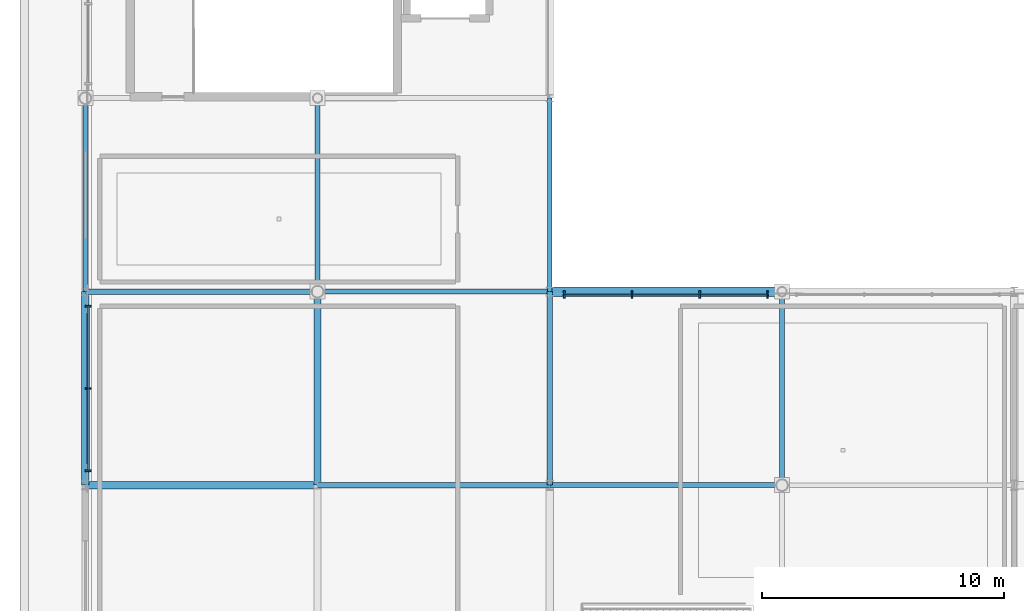
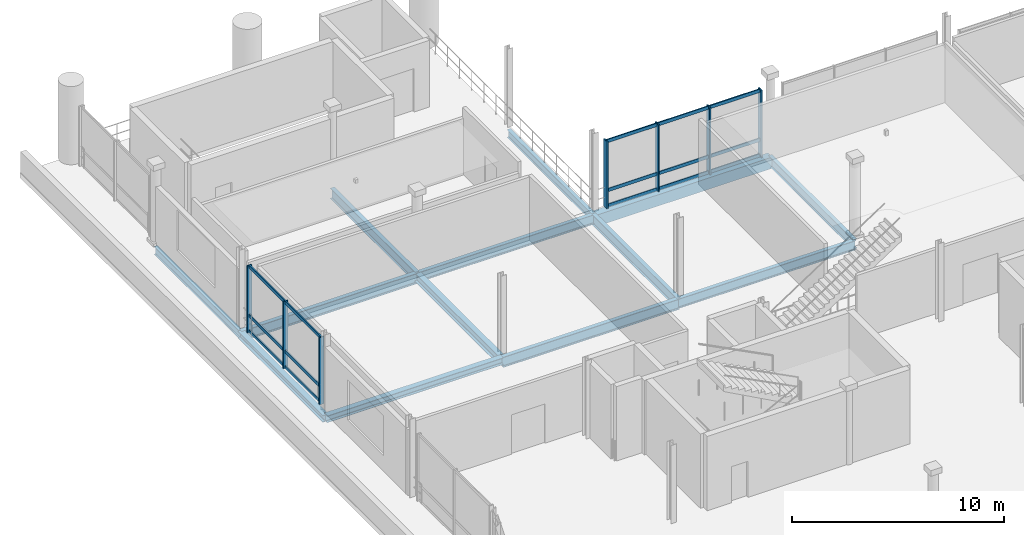
# One storey, part 16 of 59: 13 beams, 13 members, 2 elements without a shape of their own.
"""IFC4 building model written with IfcOpenShell, lengths in metres."""

from ifc_helpers import new_model, si_unit, direction, frame, origin, origin_2d, place, context, subcontext, project, spatial, rectangle, i_section, extrude, material, material_profile, profile_set, type_object, element, aggregate, save


model = new_model("IFC4")

# Units and contexts
model_context = context("Model", 3, precision=1e-05, world=origin(), true_north=direction((0.0, 1.0)))
body_context = subcontext(model_context, "Body", "Model", "MODEL_VIEW")
ifc_project = project(units=[si_unit("LENGTHUNIT", "METRE"), si_unit("AREAUNIT", "SQUARE_METRE"), si_unit("VOLUMEUNIT", "CUBIC_METRE"), si_unit("PLANEANGLEUNIT", "RADIAN"), si_unit("MASSUNIT", "GRAM", prefix="KILO")], contexts=[model_context])

# Site, building, storey
site_placement = place(None, origin())
site = spatial("IfcSite", under=ifc_project, at=site_placement, CompositionType="ELEMENT")
building_placement = place(site_placement, origin())
building = spatial("IfcBuilding", under=site, at=building_placement, Name="Danafjord Basin Convention Centre", CompositionType="ELEMENT")
storey_placement = place(building_placement, frame((0.0, 0.0, 15.89990234375)))
storey = spatial("IfcBuildingStorey", under=building, at=storey_placement, Name="L03", CompositionType="ELEMENT", Elevation=15.89990234375)

# Beams
ifc_material_1 = material(Name="Steel S355", Category="steel")
ifc_material_profile_1 = material_profile(ifc_material_1, i_section(OverallWidth=0.300048828125, OverallDepth=0.389892578125, WebThickness=0.010986328125, FlangeThickness=0.01904296875, FilletRadius=0.027099609375, at=origin_2d()), Name="HEA 400")
ifc_profile_set_1 = profile_set([ifc_material_profile_1], Name="Steel S355")
beam_type_1 = type_object("IfcBeamType", Name="BEAM-BM-HEA400", PredefinedType="BEAM", material=ifc_profile_set_1)
beam_1_placement = place(storey_placement, frame((0.0, 32.0, -0.4248046875), z_axis=(1.0, 0.0, 0.0), x_axis=(0.0, 1.0, 0.0)))
element("IfcBeam", 1, at=beam_1_placement, inside=storey, type_object=beam_type_1, Name="L03 girder BM-HEA400", PredefinedType="BEAM", context=body_context, shape_type="SweptSolid", body=[
    extrude(i_section(OverallWidth=0.300048828125, OverallDepth=0.389892578125, WebThickness=0.010986328125, FlangeThickness=0.01904296875, FilletRadius=0.027099609375, at=origin_2d()), origin(), (0.0, 0.0, 1.0), 9.60009765625),
])
ifc_material_profile_2 = material_profile(ifc_material_1, i_section(OverallWidth=0.300048828125, OverallDepth=0.5, WebThickness=0.014404296875, FlangeThickness=0.028076171875, FilletRadius=0.027099609375, at=origin_2d()), Name="HEB 500")
ifc_profile_set_2 = profile_set([ifc_material_profile_2], Name="Steel S355")
beam_type_2 = type_object("IfcBeamType", Name="BEAM-BM-HEB500", PredefinedType="BEAM", material=ifc_profile_set_2)
beam_2_placement = place(storey_placement, frame((9.60009765625, 32.0, -0.47998046875), z_axis=(0.0, 1.0, 0.0), x_axis=(-1.0, 0.0, 0.0)))
element("IfcBeam", 2, at=beam_2_placement, inside=storey, type_object=beam_type_2, Name="L03 transverse girder BM-HEB500", PredefinedType="BEAM", context=body_context, shape_type="SweptSolid", body=[
    extrude(i_section(OverallWidth=0.300048828125, OverallDepth=0.5, WebThickness=0.014404296875, FlangeThickness=0.028076171875, FilletRadius=0.027099609375, at=origin_2d()), origin(), (0.0, 0.0, 1.0), 8.0),
])
ifc_material_profile_3 = material_profile(ifc_material_1, i_section(OverallWidth=0.2099609375, OverallDepth=0.550048828125, WebThickness=0.010986328125, FlangeThickness=0.01708984375, FilletRadius=0.02392578125, at=origin_2d()), Name="IPE 550")
ifc_profile_set_3 = profile_set([ifc_material_profile_3], Name="Steel S355")
beam_type_3 = type_object("IfcBeamType", Name="BEAM-BM-IPE550", PredefinedType="BEAM", material=ifc_profile_set_3)
beam_3_placement = place(storey_placement, frame((9.60009765625, 40.0, -0.5048828125), z_axis=(1.0, 0.0, 0.0), x_axis=(0.0, 1.0, 0.0)))
element("IfcBeam", 3, at=beam_3_placement, inside=storey, type_object=beam_type_3, Name="L03 girder BM-IPE550", PredefinedType="BEAM", context=body_context, shape_type="SweptSolid", body=[
    extrude(i_section(OverallWidth=0.2099609375, OverallDepth=0.550048828125, WebThickness=0.010986328125, FlangeThickness=0.01708984375, FilletRadius=0.02392578125, at=origin_2d()), origin(), (0.0, 0.0, 1.0), 9.599853515625),
])
beam_4_placement = place(storey_placement, frame((19.199951171875, 32.0, -0.5048828125), z_axis=(1.0, 0.0, 0.0), x_axis=(0.0, 1.0, 0.0)))
element("IfcBeam", 4, at=beam_4_placement, inside=storey, type_object=beam_type_3, Name="L03 girder BM-IPE550", PredefinedType="BEAM", context=body_context, shape_type="SweptSolid", body=[
    extrude(i_section(OverallWidth=0.2099609375, OverallDepth=0.550048828125, WebThickness=0.010986328125, FlangeThickness=0.01708984375, FilletRadius=0.02392578125, at=origin_2d()), origin(), (0.0, 0.0, 1.0), 9.60009765625),
])
beam_5_placement = place(storey_placement, frame((28.800048828125, 32.0, -0.5048828125), z_axis=(0.0, 1.0, 0.0), x_axis=(-1.0, 0.0, 0.0)))
element("IfcBeam", 5, at=beam_5_placement, inside=storey, type_object=beam_type_3, Name="L03 transverse girder BM-IPE550", PredefinedType="BEAM", context=body_context, shape_type="SweptSolid", body=[
    extrude(i_section(OverallWidth=0.2099609375, OverallDepth=0.550048828125, WebThickness=0.010986328125, FlangeThickness=0.01708984375, FilletRadius=0.02392578125, at=origin_2d()), origin(), (0.0, 0.0, 1.0), 8.0),
])
ifc_material_profile_4 = material_profile(ifc_material_1, i_section(OverallWidth=0.219970703125, OverallDepth=0.60009765625, WebThickness=0.011962890625, FlangeThickness=0.01904296875, FilletRadius=0.02392578125, at=origin_2d()), Name="IPE 600")
ifc_profile_set_4 = profile_set([ifc_material_profile_4], Name="Steel S355")
beam_type_4 = type_object("IfcBeamType", Name="BEAM-BM-IPE600", PredefinedType="BEAM", material=ifc_profile_set_4)
beam_6_placement = place(storey_placement, frame((0.0, 40.0, -0.52978515625), z_axis=(1.0, 0.0, 0.0), x_axis=(0.0, 1.0, 0.0)))
element("IfcBeam", 6, at=beam_6_placement, inside=storey, type_object=beam_type_4, Name="L03 girder BM-IPE600", PredefinedType="BEAM", context=body_context, shape_type="SweptSolid", body=[
    extrude(i_section(OverallWidth=0.219970703125, OverallDepth=0.60009765625, WebThickness=0.011962890625, FlangeThickness=0.01904296875, FilletRadius=0.02392578125, at=origin_2d()), origin(), (0.0, 0.0, 1.0), 9.60009765625),
])
beam_7_placement = place(storey_placement, frame((9.60009765625, 32.0, -0.52978515625), z_axis=(1.0, 0.0, 0.0), x_axis=(0.0, 1.0, 0.0)))
element("IfcBeam", 7, at=beam_7_placement, inside=storey, type_object=beam_type_4, Name="L03 girder BM-IPE600", PredefinedType="BEAM", context=body_context, shape_type="SweptSolid", body=[
    extrude(i_section(OverallWidth=0.219970703125, OverallDepth=0.60009765625, WebThickness=0.011962890625, FlangeThickness=0.01904296875, FilletRadius=0.02392578125, at=origin_2d()), origin(), (0.0, 0.0, 1.0), 9.599853515625),
])
for number, where, z_axis, x_axis, name in (
    (8, (9.60009765625, 40.0, -0.52978515625), (0.0, 1.0, 0.0), (-1.0, 0.0, 0.0), "L03 transverse girder BM-IPE600"),
    (9, (19.199951171875, 32.0, -0.52978515625), (0.0, 1.0, 0.0), (-1.0, 0.0, 0.0), "L03 transverse girder BM-IPE600"),
):
    element("IfcBeam", number, at=place(storey_placement, frame(where, z_axis=z_axis, x_axis=x_axis)), inside=storey, type_object=beam_type_4, Name=name, PredefinedType="BEAM", context=body_context, shape_type="SweptSolid", body=[
        extrude(i_section(OverallWidth=0.219970703125, OverallDepth=0.60009765625, WebThickness=0.011962890625, FlangeThickness=0.01904296875, FilletRadius=0.02392578125, at=origin_2d()), origin(), (0.0, 0.0, 1.0), 8.0),
    ])
ifc_material_profile_5 = material_profile(ifc_material_1, i_section(OverallWidth=0.300048828125, OverallDepth=0.39990234375, WebThickness=0.013427734375, FlangeThickness=0.02392578125, FilletRadius=0.027099609375, at=origin_2d()), Name="HEB 400")
ifc_profile_set_5 = profile_set([ifc_material_profile_5], Name="Steel S355")
beam_type_5 = type_object("IfcBeamType", Name="BEAM-SP-HEB400", PredefinedType="SPANDREL", material=ifc_profile_set_5)
beam_8_placement = place(storey_placement, frame((0.0, 32.0, -0.429931640625), z_axis=(0.0, 1.0, 0.0), x_axis=(-1.0, 0.0, 0.0)))
element("IfcBeam", 10, at=beam_8_placement, inside=storey, type_object=beam_type_5, Name="L03 transverse girder SP-HEB400", PredefinedType="SPANDREL", context=body_context, shape_type="SweptSolid", body=[
    extrude(i_section(OverallWidth=0.300048828125, OverallDepth=0.39990234375, WebThickness=0.013427734375, FlangeThickness=0.02392578125, FilletRadius=0.027099609375, at=origin_2d()), origin(), (0.0, 0.0, 1.0), 8.0),
])
ifc_material_profile_6 = material_profile(ifc_material_1, i_section(OverallWidth=0.18994140625, OverallDepth=0.449951171875, WebThickness=0.009521484375, FlangeThickness=0.0146484375, FilletRadius=0.02099609375, at=origin_2d()), Name="IPE 450")
ifc_profile_set_6 = profile_set([ifc_material_profile_6], Name="Steel S355")
beam_type_6 = type_object("IfcBeamType", Name="BEAM-SP-IPE450", PredefinedType="SPANDREL", material=ifc_profile_set_6)
for number, where, z_axis, x_axis, name in (
    (11, (0.0, 40.0, -0.454833984375), (0.0, 1.0, 0.0), (-1.0, 0.0, 0.0), "L03 transverse girder SP-IPE450"),
    (12, (19.199951171875, 40.0, -0.454833984375), (0.0, 1.0, 0.0), (-1.0, 0.0, 0.0), "L03 transverse girder SP-IPE450"),
):
    element("IfcBeam", number, at=place(storey_placement, frame(where, z_axis=z_axis, x_axis=x_axis)), inside=storey, type_object=beam_type_6, Name=name, PredefinedType="SPANDREL", context=body_context, shape_type="SweptSolid", body=[
        extrude(i_section(OverallWidth=0.18994140625, OverallDepth=0.449951171875, WebThickness=0.009521484375, FlangeThickness=0.0146484375, FilletRadius=0.02099609375, at=origin_2d()), origin(), (0.0, 0.0, 1.0), 8.0),
    ])
ifc_material_2 = material(Name="Precast concrete C45/55", Category="concrete")
ifc_material_profile_7 = material_profile(ifc_material_2, rectangle(XDim=0.39990234375, YDim=0.64990234375, at=origin_2d()), Name="PCB 400x650")
ifc_profile_set_7 = profile_set([ifc_material_profile_7], Name="Precast concrete C45/55")
beam_type_7 = type_object("IfcBeamType", Name="BEAM-SP-PCB650", PredefinedType="SPANDREL", material=ifc_profile_set_7)
beam_9_placement = place(storey_placement, frame((19.199951171875, 40.0, -0.554931640625), z_axis=(1.0, 0.0, 0.0), x_axis=(0.0, 1.0, 0.0)))
element("IfcBeam", 13, at=beam_9_placement, inside=storey, type_object=beam_type_7, Name="L03 girder SP-PCB650", PredefinedType="SPANDREL", context=body_context, shape_type="SweptSolid", body=[
    extrude(rectangle(XDim=0.39990234375, YDim=0.64990234375, at=origin_2d()), origin(), (0.0, 0.0, 1.0), 9.60009765625),
])

# Curtain wall, members
ifc_material_3 = material(Name="Anodised aluminium and triple glazing", Category="aluminium")
curtain_wall_type = type_object("IfcCurtainWallType", Name="CW-CW-TERR", PredefinedType="NOTDEFINED", material=ifc_material_3)
curtain_wall_1_placement = place(storey_placement, origin())
curtain_wall_1 = element("IfcCurtainWall", 14, at=curtain_wall_1_placement, inside=storey, type_object=curtain_wall_type, Name="L03 CW-TERR unitised curtain wall bay 83", PredefinedType="NOTDEFINED")
ifc_material_4 = material(Name="Anodised aluminium EN AW-6060", Category="aluminium")
ifc_material_profile_8 = material_profile(ifc_material_4, rectangle(XDim=0.070068359375, YDim=0.260009765625, at=origin_2d()), Name="MULL 70x260")
ifc_profile_set_8 = profile_set([ifc_material_profile_8], Name="Anodised aluminium EN AW-6060")
member_type_1 = type_object("IfcMemberType", Name="MEM-ML-260", PredefinedType="MULLION", material=ifc_profile_set_8)
member_1_placement = place(storey_placement, frame((0.1201171875, 39.39990234375, -0.02490234375), z_axis=(0.0, 0.0, 1.0), x_axis=(0.0, -1.0, 0.0)))
member_1 = element("IfcMember", 15, at=member_1_placement, type_object=member_type_1, Name="CW-L03-083 mullion 1", PredefinedType="MULLION", context=body_context, shape_type="SweptSolid", body=[
    extrude(rectangle(XDim=0.070068359375, YDim=0.260009765625, at=origin_2d()), origin(), (0.0, 0.0, 1.0), 3.8701171875),
])
member_2_placement = place(storey_placement, frame((0.1201171875, 36.0, -0.02490234375), z_axis=(0.0, 0.0, 1.0), x_axis=(0.0, -1.0, 0.0)))
member_2 = element("IfcMember", 16, at=member_2_placement, type_object=member_type_1, Name="CW-L03-083 mullion 2", PredefinedType="MULLION", context=body_context, shape_type="SweptSolid", body=[
    extrude(rectangle(XDim=0.070068359375, YDim=0.260009765625, at=origin_2d()), origin(), (0.0, 0.0, 1.0), 3.8701171875),
])
member_3_placement = place(storey_placement, frame((0.1201171875, 32.60009765625, -0.02490234375), z_axis=(0.0, 0.0, 1.0), x_axis=(0.0, -1.0, 0.0)))
member_3 = element("IfcMember", 17, at=member_3_placement, type_object=member_type_1, Name="CW-L03-083 mullion 3", PredefinedType="MULLION", context=body_context, shape_type="SweptSolid", body=[
    extrude(rectangle(XDim=0.070068359375, YDim=0.260009765625, at=origin_2d()), origin(), (0.0, 0.0, 1.0), 3.8701171875),
])

curtain_wall_2_placement = place(storey_placement, origin())
curtain_wall_2 = element("IfcCurtainWall", 18, at=curtain_wall_2_placement, inside=storey, type_object=curtain_wall_type, Name="L03 CW-TERR unitised curtain wall bay 74", PredefinedType="NOTDEFINED")
ifc_material_profile_9 = material_profile(ifc_material_4, rectangle(XDim=0.080078125, YDim=0.300048828125, at=origin_2d()), Name="MULL 80x300")
ifc_profile_set_9 = profile_set([ifc_material_profile_9], Name="Anodised aluminium EN AW-6060")
member_type_2 = type_object("IfcMemberType", Name="MEM-ML-300", PredefinedType="MULLION", material=ifc_profile_set_9)
member_4_placement = place(storey_placement, frame((28.199951171875, 39.8798828125, -0.02490234375), z_axis=(0.0, 0.0, 1.0), x_axis=(-1.0, 0.0, 0.0)))
member_4 = element("IfcMember", 19, at=member_4_placement, type_object=member_type_2, Name="CW-L03-074 mullion 1", PredefinedType="MULLION", context=body_context, shape_type="SweptSolid", body=[
    extrude(rectangle(XDim=0.080078125, YDim=0.300048828125, at=origin_2d()), origin(), (0.0, 0.0, 1.0), 3.8701171875),
])
member_5_placement = place(storey_placement, frame((25.39990234375, 39.8798828125, -0.02490234375), z_axis=(0.0, 0.0, 1.0), x_axis=(-1.0, 0.0, 0.0)))
member_5 = element("IfcMember", 20, at=member_5_placement, type_object=member_type_2, Name="CW-L03-074 mullion 2", PredefinedType="MULLION", context=body_context, shape_type="SweptSolid", body=[
    extrude(rectangle(XDim=0.080078125, YDim=0.300048828125, at=origin_2d()), origin(), (0.0, 0.0, 1.0), 3.8701171875),
])
member_6_placement = place(storey_placement, frame((22.60009765625, 39.8798828125, -0.02490234375), z_axis=(0.0, 0.0, 1.0), x_axis=(-1.0, 0.0, 0.0)))
member_6 = element("IfcMember", 21, at=member_6_placement, type_object=member_type_2, Name="CW-L03-074 mullion 3", PredefinedType="MULLION", context=body_context, shape_type="SweptSolid", body=[
    extrude(rectangle(XDim=0.080078125, YDim=0.300048828125, at=origin_2d()), origin(), (0.0, 0.0, 1.0), 3.8701171875),
])
member_7_placement = place(storey_placement, frame((19.800048828125, 39.8798828125, -0.02490234375), z_axis=(0.0, 0.0, 1.0), x_axis=(-1.0, 0.0, 0.0)))
member_7 = element("IfcMember", 22, at=member_7_placement, type_object=member_type_2, Name="CW-L03-074 mullion 4", PredefinedType="MULLION", context=body_context, shape_type="SweptSolid", body=[
    extrude(rectangle(XDim=0.080078125, YDim=0.300048828125, at=origin_2d()), origin(), (0.0, 0.0, 1.0), 3.8701171875),
])
ifc_material_profile_10 = material_profile(ifc_material_4, rectangle(XDim=0.06494140625, YDim=0.18994140625, at=origin_2d()), Name="TRAN 65x190")
ifc_profile_set_10 = profile_set([ifc_material_profile_10], Name="Anodised aluminium EN AW-6060")
member_type_3 = type_object("IfcMemberType", Name="MEM-TR-190", PredefinedType="USERDEFINED", material=ifc_profile_set_10)
member_8_placement = place(storey_placement, frame((28.199951171875, 39.8798828125, 0.06005859375), z_axis=(-1.0, 0.0, 0.0), x_axis=(0.0, -1.0, 0.0)))
member_8 = element("IfcMember", 23, at=member_8_placement, type_object=member_type_3, Name="CW-L03-074 transom 1", ObjectType="TRANSOM", PredefinedType="USERDEFINED", context=body_context, shape_type="SweptSolid", body=[
    extrude(rectangle(XDim=0.06494140625, YDim=0.18994140625, at=origin_2d()), origin(), (0.0, 0.0, 1.0), 8.39990234375),
])
member_9_placement = place(storey_placement, frame((28.199951171875, 39.8798828125, 0.9501953125), z_axis=(-1.0, 0.0, 0.0), x_axis=(0.0, -1.0, 0.0)))
member_9 = element("IfcMember", 24, at=member_9_placement, type_object=member_type_3, Name="CW-L03-074 transom 2", ObjectType="TRANSOM", PredefinedType="USERDEFINED", context=body_context, shape_type="SweptSolid", body=[
    extrude(rectangle(XDim=0.06494140625, YDim=0.18994140625, at=origin_2d()), origin(), (0.0, 0.0, 1.0), 8.39990234375),
])
member_10_placement = place(storey_placement, frame((28.199951171875, 39.8798828125, 3.775146484375), z_axis=(-1.0, 0.0, 0.0), x_axis=(0.0, -1.0, 0.0)))
member_10 = element("IfcMember", 25, at=member_10_placement, type_object=member_type_3, Name="CW-L03-074 transom 3", ObjectType="TRANSOM", PredefinedType="USERDEFINED", context=body_context, shape_type="SweptSolid", body=[
    extrude(rectangle(XDim=0.06494140625, YDim=0.18994140625, at=origin_2d()), origin(), (0.0, 0.0, 1.0), 8.39990234375),
])
aggregate(curtain_wall_2, [member_4, member_5, member_6, member_7, member_8, member_9, member_10])

# Member
member_11_placement = place(storey_placement, frame((0.1201171875, 39.39990234375, 0.06005859375), z_axis=(0.0, -1.0, 0.0), x_axis=(1.0, 0.0, 0.0)))
member_11 = element("IfcMember", 26, at=member_11_placement, type_object=member_type_3, Name="CW-L03-083 transom 1", ObjectType="TRANSOM", PredefinedType="USERDEFINED", context=body_context, shape_type="SweptSolid", body=[
    extrude(rectangle(XDim=0.06494140625, YDim=0.18994140625, at=origin_2d()), origin(), (0.0, 0.0, 1.0), 6.7998046875),
])

member_12_placement = place(storey_placement, frame((0.1201171875, 39.39990234375, 0.9501953125), z_axis=(0.0, -1.0, 0.0), x_axis=(1.0, 0.0, 0.0)))
member_12 = element("IfcMember", 27, at=member_12_placement, type_object=member_type_3, Name="CW-L03-083 transom 2", ObjectType="TRANSOM", PredefinedType="USERDEFINED", context=body_context, shape_type="SweptSolid", body=[
    extrude(rectangle(XDim=0.06494140625, YDim=0.18994140625, at=origin_2d()), origin(), (0.0, 0.0, 1.0), 6.7998046875),
])

member_13_placement = place(storey_placement, frame((0.1201171875, 39.39990234375, 3.775146484375), z_axis=(0.0, -1.0, 0.0), x_axis=(1.0, 0.0, 0.0)))
member_13 = element("IfcMember", 28, at=member_13_placement, type_object=member_type_3, Name="CW-L03-083 transom 3", ObjectType="TRANSOM", PredefinedType="USERDEFINED", context=body_context, shape_type="SweptSolid", body=[
    extrude(rectangle(XDim=0.06494140625, YDim=0.18994140625, at=origin_2d()), origin(), (0.0, 0.0, 1.0), 6.7998046875),
])

aggregate(curtain_wall_1, [member_1, member_2, member_3, member_11, member_12, member_13])

save(model, "model.ifc")
